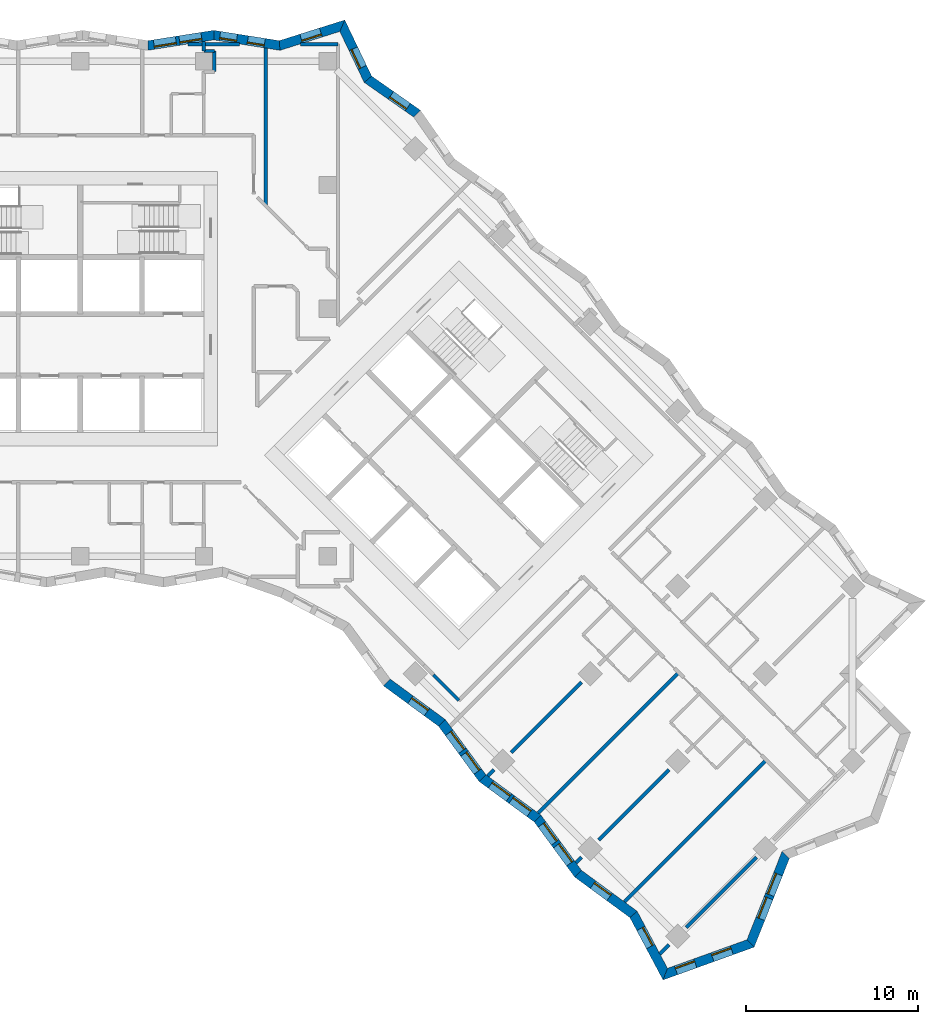
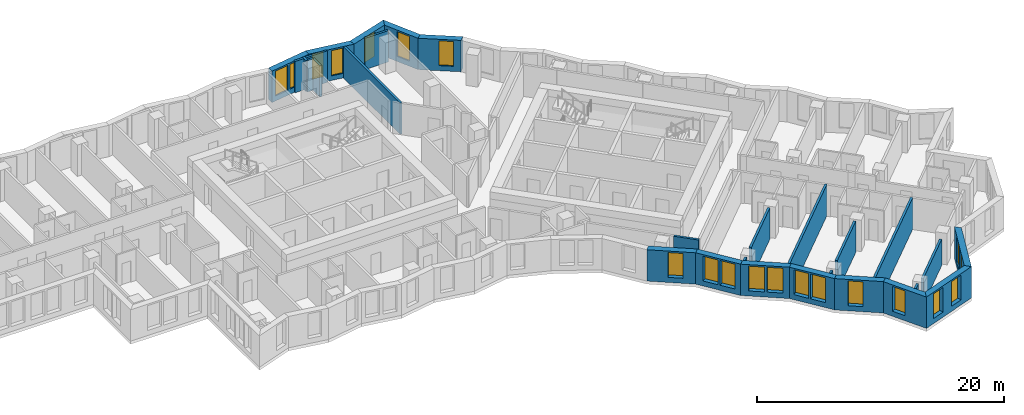
# One storey, part 8 of 13: 28 walls, 20 windows, 20 openings.
"""IFC4 building model written with IfcOpenShell, lengths in metres."""

from ifc_helpers import new_model, si_unit, direction, frame, frame_2d, origin, place, context, subcontext, project, spatial, polyline, rectangle, outline, extrude, material, layer, layer_set, type_object, element, fill, save


model = new_model("IFC4")

# Units and contexts
model_context = context("Model", 3, precision=1e-05, world=origin(), true_north=direction((0.0, 1.0)))
body_context = subcontext(model_context, "Body", "Model", "MODEL_VIEW")
ifc_project = project(units=[si_unit("LENGTHUNIT", "METRE"), si_unit("AREAUNIT", "SQUARE_METRE"), si_unit("VOLUMEUNIT", "CUBIC_METRE"), si_unit("PLANEANGLEUNIT", "RADIAN"), si_unit("MASSUNIT", "GRAM", prefix="KILO")], contexts=[model_context])

# Site, building, storey
site_placement = place(None, origin())
site = spatial("IfcSite", under=ifc_project, at=site_placement, CompositionType="ELEMENT")
building_placement = place(site_placement, origin())
building = spatial("IfcBuilding", under=site, at=building_placement, Name="Windrow Commons", CompositionType="ELEMENT")
storey_placement = place(building_placement, frame((0.0, 0.0, 115.2)))
storey = spatial("IfcBuildingStorey", under=building, at=storey_placement, Name="L31", CompositionType="ELEMENT", Elevation=115.2)

# Wall, openings, windows
ifc_material_1 = material(Name="Brick masonry, red clay brick", Category="masonry")
ifc_layer_1 = layer(ifc_material_1, 0.55)
ifc_layer_set_1 = layer_set([ifc_layer_1], Name="Brick facade wall 550")
wall_type_1 = type_object("IfcWallType", Name="Brick facade wall 550", PredefinedType="SOLIDWALL", material=ifc_layer_set_1)
wall_1_placement = place(storey_placement, frame((98.845, 18.8801, 0.0), z_axis=(0.0, 0.0, 1.0), x_axis=(0.9408702524, 0.3387671296, 0.0)))
wall_1 = element("IfcWall", 1, at=wall_1_placement, inside=storey, type_object=wall_type_1, Name="Brick facade wall L31 1", PredefinedType="SOLIDWALL", context=body_context, shape_type="SweptSolid", body=[
    extrude(outline(polyline([(-0.2382, -0.275), (5.3989, -0.275), (5.151, 0.275), (0.2382, 0.275), (-0.2382, -0.275)])), origin(), (0.0, 0.0, 1.0), 3.1),
])
opening_1_placement = place(wall_1_placement, frame((0.658, 0.0, 0.5)))
opening_1 = element("IfcOpeningElement", 2, at=opening_1_placement, cuts=wall_1, Name="Opening W7D", PredefinedType="OPENING", context=body_context, shape_type="SweptSolid", body=[
    extrude(rectangle(XDim=1.2, YDim=2.45, at=frame_2d((0.6, 1.225))), frame((0.0, 0.285, 0.0), z_axis=(0.0, -1.0, 0.0), x_axis=(1.0, 0.0, 0.0)), (0.0, 0.0, 1.0), 0.57),
])
opening_2_placement = place(wall_1_placement, frame((2.9144, 0.0, 0.5)))
opening_2 = element("IfcOpeningElement", 3, at=opening_2_placement, cuts=wall_1, Name="Opening W7D", PredefinedType="OPENING", context=body_context, shape_type="SweptSolid", body=[
    extrude(rectangle(XDim=1.2, YDim=2.45, at=frame_2d((0.6, 1.225))), frame((0.0, 0.285, 0.0), z_axis=(0.0, -1.0, 0.0), x_axis=(1.0, 0.0, 0.0)), (0.0, 0.0, 1.0), 0.57),
])
ifc_material_2 = material(Name="Clear float glass in anodised aluminium frame", Category="aluminium")
window_type_1 = type_object("IfcWindowType", Name="Window W7 notch 1200x2450", PartitioningType="SINGLE_PANEL", PredefinedType="WINDOW", material=ifc_material_2)
window_1_placement = place(opening_1_placement, origin())
window_1 = element("IfcWindow", 4, at=window_1_placement, inside=storey, type_object=window_type_1, Name="Window L31 1.1", OverallHeight=2.45, OverallWidth=1.2, PartitioningType="SINGLE_PANEL", PredefinedType="WINDOW", context=body_context, shape_type="SweptSolid", body=[
    extrude(rectangle(XDim=1.2, YDim=2.45, at=frame_2d((0.6, 1.225))), frame((0.0, 0.155, 0.0), z_axis=(0.0, -1.0, 0.0), x_axis=(1.0, 0.0, 0.0)), (0.0, 0.0, 1.0), 0.06),
])
fill(opening_1, window_1)
window_2_placement = place(opening_2_placement, origin())
window_2 = element("IfcWindow", 5, at=window_2_placement, inside=storey, type_object=window_type_1, Name="Window L31 1.2", OverallHeight=2.45, OverallWidth=1.2, PartitioningType="SINGLE_PANEL", PredefinedType="WINDOW", context=body_context, shape_type="SweptSolid", body=[
    extrude(rectangle(XDim=1.2, YDim=2.45, at=frame_2d((0.6, 1.225))), frame((0.0, 0.155, 0.0), z_axis=(0.0, -1.0, 0.0), x_axis=(1.0, 0.0, 0.0)), (0.0, 0.0, 1.0), 0.06),
])
fill(opening_2, window_2)

wall_2_placement = place(storey_placement, frame((103.8081, 20.6671, 0.0), z_axis=(0.0, 0.0, 1.0), x_axis=(0.3692366636, 0.9293354003, 0.0)))
wall_2 = element("IfcWall", 6, at=wall_2_placement, inside=storey, type_object=wall_type_1, Name="Brick facade wall L31 2", PredefinedType="SOLIDWALL", context=body_context, shape_type="SweptSolid", body=[
    extrude(outline(polyline([(-0.124, -0.275), (5.431, -0.275), (5.6682, 0.275), (0.124, 0.275), (-0.124, -0.275)])), origin(), (0.0, 0.0, 1.0), 3.1),
])
opening_3_placement = place(wall_2_placement, frame((1.5407, 0.0, 0.5)))
opening_3 = element("IfcOpeningElement", 7, at=opening_3_placement, cuts=wall_2, Name="Opening W1P", PredefinedType="OPENING", context=body_context, shape_type="SweptSolid", body=[
    extrude(rectangle(XDim=1.3, YDim=2.45, at=frame_2d((0.65, 1.225))), frame((0.0, 0.285, 0.0), z_axis=(0.0, -1.0, 0.0), x_axis=(1.0, 0.0, 0.0)), (0.0, 0.0, 1.0), 0.57),
])
opening_4_placement = place(wall_2_placement, frame((3.0407, 0.0, 0.5)))
opening_4 = element("IfcOpeningElement", 8, at=opening_4_placement, cuts=wall_2, Name="Opening W1P", PredefinedType="OPENING", context=body_context, shape_type="SweptSolid", body=[
    extrude(rectangle(XDim=1.3, YDim=2.45, at=frame_2d((0.65, 1.225))), frame((0.0, 0.285, 0.0), z_axis=(0.0, -1.0, 0.0), x_axis=(1.0, 0.0, 0.0)), (0.0, 0.0, 1.0), 0.57),
])
ifc_material_3 = material(Name="Clear float glass in anodised aluminium frame", Category="aluminium")
window_type_2 = type_object("IfcWindowType", Name="Window W1P pair 1300x2450", PartitioningType="SINGLE_PANEL", PredefinedType="WINDOW", material=ifc_material_3)
window_3_placement = place(opening_3_placement, origin())
window_3 = element("IfcWindow", 9, at=window_3_placement, inside=storey, type_object=window_type_2, Name="Window L31 2.1A", OverallHeight=2.45, OverallWidth=1.3, PartitioningType="SINGLE_PANEL", PredefinedType="WINDOW", context=body_context, shape_type="SweptSolid", body=[
    extrude(rectangle(XDim=1.3, YDim=2.45, at=frame_2d((0.65, 1.225))), frame((0.0, 0.155, 0.0), z_axis=(0.0, -1.0, 0.0), x_axis=(1.0, 0.0, 0.0)), (0.0, 0.0, 1.0), 0.06),
])
fill(opening_3, window_3)
window_4_placement = place(opening_4_placement, origin())
window_4 = element("IfcWindow", 10, at=window_4_placement, inside=storey, type_object=window_type_2, Name="Window L31 2.1B", OverallHeight=2.45, OverallWidth=1.3, PartitioningType="SINGLE_PANEL", PredefinedType="WINDOW", context=body_context, shape_type="SweptSolid", body=[
    extrude(rectangle(XDim=1.3, YDim=2.45, at=frame_2d((0.65, 1.225))), frame((0.0, 0.155, 0.0), z_axis=(0.0, -1.0, 0.0), x_axis=(1.0, 0.0, 0.0)), (0.0, 0.0, 1.0), 0.06),
])
fill(opening_4, window_4)

# Wall, opening, window
wall_3_placement = place(storey_placement, frame((84.4017, 68.9532, 0.0), z_axis=(0.0, 0.0, 1.0), x_axis=(-0.8193207436, 0.5733354333, 0.0)))
wall_3 = element("IfcWall", 11, at=wall_3_placement, inside=storey, type_object=wall_type_1, Name="Brick facade wall L31 19", PredefinedType="SOLIDWALL", context=body_context, shape_type="SweptSolid", body=[
    extrude(outline(polyline([(-0.0486, -0.275), (3.4182, -0.275), (3.5627, 0.275), (0.0486, 0.275), (-0.0486, -0.275)])), origin(), (0.0, 0.0, 1.0), 3.1),
])
opening_5_placement = place(wall_3_placement, frame((0.6579, 0.0, 0.5)))
opening_5 = element("IfcOpeningElement", 12, at=opening_5_placement, cuts=wall_3, Name="Opening W7D", PredefinedType="OPENING", context=body_context, shape_type="SweptSolid", body=[
    extrude(rectangle(XDim=1.2, YDim=2.45, at=frame_2d((0.6, 1.225))), frame((0.0, 0.285, 0.0), z_axis=(0.0, -1.0, 0.0), x_axis=(1.0, 0.0, 0.0)), (0.0, 0.0, 1.0), 0.57),
])
window_5_placement = place(opening_5_placement, origin())
window_5 = element("IfcWindow", 13, at=window_5_placement, inside=storey, type_object=window_type_1, Name="Window L31 19.1", OverallHeight=2.45, OverallWidth=1.2, PartitioningType="SINGLE_PANEL", PredefinedType="WINDOW", context=body_context, shape_type="SweptSolid", body=[
    extrude(rectangle(XDim=1.2, YDim=2.45, at=frame_2d((0.6, 1.225))), frame((0.0, 0.155, 0.0), z_axis=(0.0, -1.0, 0.0), x_axis=(1.0, 0.0, 0.0)), (0.0, 0.0, 1.0), 0.06),
])
fill(opening_5, window_5)

wall_4_placement = place(storey_placement, frame((81.5419, 70.9544, 0.0), z_axis=(0.0, 0.0, 1.0), x_axis=(-0.4318929932, 0.9019248541, 0.0)))
wall_4 = element("IfcWall", 14, at=wall_4_placement, inside=storey, type_object=wall_type_1, Name="Brick facade wall L31 20", PredefinedType="SOLIDWALL", context=body_context, shape_type="SweptSolid", body=[
    extrude(outline(polyline([(0.0722, -0.275), (3.6919, -0.275), (3.2145, 0.275), (-0.0722, 0.275), (0.0722, -0.275)])), origin(), (0.0, 0.0, 1.0), 3.1),
])
opening_6_placement = place(wall_4_placement, frame((0.7699, 0.0, 0.5)))
opening_6 = element("IfcOpeningElement", 15, at=opening_6_placement, cuts=wall_4, Name="Opening W7D", PredefinedType="OPENING", context=body_context, shape_type="SweptSolid", body=[
    extrude(rectangle(XDim=1.2, YDim=2.45, at=frame_2d((0.6, 1.225))), frame((0.0, 0.285, 0.0), z_axis=(0.0, -1.0, 0.0), x_axis=(1.0, 0.0, 0.0)), (0.0, 0.0, 1.0), 0.57),
])
window_6_placement = place(opening_6_placement, origin())
window_6 = element("IfcWindow", 16, at=window_6_placement, inside=storey, type_object=window_type_1, Name="Window L31 20.1", OverallHeight=2.45, OverallWidth=1.2, PartitioningType="SINGLE_PANEL", PredefinedType="WINDOW", context=body_context, shape_type="SweptSolid", body=[
    extrude(rectangle(XDim=1.2, YDim=2.45, at=frame_2d((0.6, 1.225))), frame((0.0, 0.155, 0.0), z_axis=(0.0, -1.0, 0.0), x_axis=(1.0, 0.0, 0.0)), (0.0, 0.0, 1.0), 0.06),
])
fill(opening_6, window_6)

wall_5_placement = place(storey_placement, frame((80.0505, 74.0689, 0.0), z_axis=(0.0, 0.0, 1.0), x_axis=(-0.9536522041, -0.3009110726, 0.0)))
wall_5 = element("IfcWall", 17, at=wall_5_placement, inside=storey, type_object=wall_type_1, Name="Brick facade wall L31 21", PredefinedType="SOLIDWALL", context=body_context, shape_type="SweptSolid", body=[
    extrude(outline(polyline([(-0.2387, -0.275), (3.759, -0.275), (3.8885, 0.275), (0.2387, 0.275), (-0.2387, -0.275)])), origin(), (0.0, 0.0, 1.0), 3.1),
])
opening_7_placement = place(wall_5_placement, frame((1.3078, 0.0, 0.5)))
opening_7 = element("IfcOpeningElement", 18, at=opening_7_placement, cuts=wall_5, Name="Opening W7D", PredefinedType="OPENING", context=body_context, shape_type="SweptSolid", body=[
    extrude(rectangle(XDim=1.2, YDim=2.45, at=frame_2d((0.6, 1.225))), frame((0.0, 0.285, 0.0), z_axis=(0.0, -1.0, 0.0), x_axis=(1.0, 0.0, 0.0)), (0.0, 0.0, 1.0), 0.57),
])
window_7_placement = place(opening_7_placement, origin())
window_7 = element("IfcWindow", 19, at=window_7_placement, inside=storey, type_object=window_type_1, Name="Window L31 21.1", OverallHeight=2.45, OverallWidth=1.2, PartitioningType="SINGLE_PANEL", PredefinedType="WINDOW", context=body_context, shape_type="SweptSolid", body=[
    extrude(rectangle(XDim=1.2, YDim=2.45, at=frame_2d((0.6, 1.225))), frame((0.0, 0.155, 0.0), z_axis=(0.0, -1.0, 0.0), x_axis=(1.0, 0.0, 0.0)), (0.0, 0.0, 1.0), 0.06),
])
fill(opening_7, window_7)

# Wall, openings, windows
wall_6_placement = place(storey_placement, frame((76.404, 72.9183, 0.0), z_axis=(0.0, 0.0, 1.0), x_axis=(-0.9877221932, 0.1562205785, 0.0)))
wall_6 = element("IfcWall", 20, at=wall_6_placement, inside=storey, type_object=wall_type_1, Name="Brick facade wall L31 22", PredefinedType="SOLIDWALL", context=body_context, shape_type="SweptSolid", body=[
    extrude(outline(polyline([(0.0648, -0.275), (3.9245, -0.275), (3.8376, 0.275), (-0.0648, 0.275), (0.0648, -0.275)])), origin(), (0.0, 0.0, 1.0), 3.1),
])
opening_8_placement = place(wall_6_placement, frame((0.8805, 0.0, 0.45)))
opening_8 = element("IfcOpeningElement", 21, at=opening_8_placement, cuts=wall_6, Name="Opening W1S", PredefinedType="OPENING", context=body_context, shape_type="SweptSolid", body=[
    extrude(rectangle(XDim=1.0, YDim=2.5, at=frame_2d((0.5, 1.25))), frame((0.0, 0.285, 0.0), z_axis=(0.0, -1.0, 0.0), x_axis=(1.0, 0.0, 0.0)), (0.0, 0.0, 1.0), 0.57),
])
opening_9_placement = place(wall_6_placement, frame((2.521, 0.0, 0.45)))
opening_9 = element("IfcOpeningElement", 22, at=opening_9_placement, cuts=wall_6, Name="Opening W1S", PredefinedType="OPENING", context=body_context, shape_type="SweptSolid", body=[
    extrude(rectangle(XDim=1.0, YDim=2.5, at=frame_2d((0.5, 1.25))), frame((0.0, 0.285, 0.0), z_axis=(0.0, -1.0, 0.0), x_axis=(1.0, 0.0, 0.0)), (0.0, 0.0, 1.0), 0.57),
])
ifc_material_4 = material(Name="Clear float glass in anodised aluminium frame", Category="aluminium")
window_type_3 = type_object("IfcWindowType", Name="Window W1S slit 1000x2500", PartitioningType="SINGLE_PANEL", PredefinedType="WINDOW", material=ifc_material_4)
window_8_placement = place(opening_8_placement, origin())
window_8 = element("IfcWindow", 23, at=window_8_placement, inside=storey, type_object=window_type_3, Name="Window L31 22.1A", OverallHeight=2.5, OverallWidth=1.0, PartitioningType="SINGLE_PANEL", PredefinedType="WINDOW", context=body_context, shape_type="SweptSolid", body=[
    extrude(rectangle(XDim=1.0, YDim=2.5, at=frame_2d((0.5, 1.25))), frame((0.0, 0.155, 0.0), z_axis=(0.0, -1.0, 0.0), x_axis=(1.0, 0.0, 0.0)), (0.0, 0.0, 1.0), 0.06),
])
fill(opening_8, window_8)
window_9_placement = place(opening_9_placement, origin())
window_9 = element("IfcWindow", 24, at=window_9_placement, inside=storey, type_object=window_type_3, Name="Window L31 22.1B", OverallHeight=2.5, OverallWidth=1.0, PartitioningType="SINGLE_PANEL", PredefinedType="WINDOW", context=body_context, shape_type="SweptSolid", body=[
    extrude(rectangle(XDim=1.0, YDim=2.5, at=frame_2d((0.5, 1.25))), frame((0.0, 0.155, 0.0), z_axis=(0.0, -1.0, 0.0), x_axis=(1.0, 0.0, 0.0)), (0.0, 0.0, 1.0), 0.06),
])
fill(opening_9, window_9)

wall_7_placement = place(storey_placement, frame((72.5706, 73.5246, 0.0), z_axis=(0.0, 0.0, 1.0), x_axis=(-0.9877213372, -0.1562259905, 0.0)))
wall_7 = element("IfcWall", 25, at=wall_7_placement, inside=storey, type_object=wall_type_1, Name="Brick facade wall L31 23", PredefinedType="SOLIDWALL", context=body_context, shape_type="SweptSolid", body=[
    extrude(outline(polyline([(-0.0435, -0.275), (3.8163, -0.275), (3.9033, 0.275), (0.0435, 0.275), (-0.0435, -0.275)])), origin(), (0.0, 0.0, 1.0), 3.1),
])
opening_10_placement = place(wall_7_placement, frame((0.7187, 0.0, 0.5)))
opening_10 = element("IfcOpeningElement", 26, at=opening_10_placement, cuts=wall_7, Name="Opening W1P", PredefinedType="OPENING", context=body_context, shape_type="SweptSolid", body=[
    extrude(rectangle(XDim=1.3, YDim=2.45, at=frame_2d((0.65, 1.225))), frame((0.0, 0.285, 0.0), z_axis=(0.0, -1.0, 0.0), x_axis=(1.0, 0.0, 0.0)), (0.0, 0.0, 1.0), 0.57),
])
opening_11_placement = place(wall_7_placement, frame((2.2187, 0.0, 0.5)))
opening_11 = element("IfcOpeningElement", 27, at=opening_11_placement, cuts=wall_7, Name="Opening W1P", PredefinedType="OPENING", context=body_context, shape_type="SweptSolid", body=[
    extrude(rectangle(XDim=1.3, YDim=2.45, at=frame_2d((0.65, 1.225))), frame((0.0, 0.285, 0.0), z_axis=(0.0, -1.0, 0.0), x_axis=(1.0, 0.0, 0.0)), (0.0, 0.0, 1.0), 0.57),
])
window_10_placement = place(opening_10_placement, origin())
window_10 = element("IfcWindow", 28, at=window_10_placement, inside=storey, type_object=window_type_2, Name="Window L31 23.1A", OverallHeight=2.45, OverallWidth=1.3, PartitioningType="SINGLE_PANEL", PredefinedType="WINDOW", context=body_context, shape_type="SweptSolid", body=[
    extrude(rectangle(XDim=1.3, YDim=2.45, at=frame_2d((0.65, 1.225))), frame((0.0, 0.145, 0.0), z_axis=(0.0, -1.0, 0.0), x_axis=(1.0, 0.0, 0.0)), (0.0, 0.0, 1.0), 0.06),
])
fill(opening_10, window_10)
window_11_placement = place(opening_11_placement, origin())
window_11 = element("IfcWindow", 29, at=window_11_placement, inside=storey, type_object=window_type_2, Name="Window L31 23.1B", OverallHeight=2.45, OverallWidth=1.3, PartitioningType="SINGLE_PANEL", PredefinedType="WINDOW", context=body_context, shape_type="SweptSolid", body=[
    extrude(rectangle(XDim=1.3, YDim=2.45, at=frame_2d((0.65, 1.225))), frame((0.0, 0.155, 0.0), z_axis=(0.0, -1.0, 0.0), x_axis=(1.0, 0.0, 0.0)), (0.0, 0.0, 1.0), 0.06),
])
fill(opening_11, window_11)

# Wall, opening, window
wall_8_placement = place(storey_placement, frame((82.6427, 35.8539, 0.0), z_axis=(0.0, 0.0, 1.0), x_axis=(0.8060606099, -0.5918329943, 0.0)))
wall_8 = element("IfcWall", 30, at=wall_8_placement, inside=storey, type_object=wall_type_1, Name="Brick facade wall L31 54", PredefinedType="SOLIDWALL", context=body_context, shape_type="SweptSolid", body=[
    extrude(outline(polyline([(-0.0421, -0.275), (3.9382, -0.275), (4.0225, 0.275), (0.0421, 0.275), (-0.0421, -0.275)])), origin(), (0.0, 0.0, 1.0), 3.1),
])
opening_12_placement = place(wall_8_placement, frame((1.6981, 0.0, 0.5)))
opening_12 = element("IfcOpeningElement", 31, at=opening_12_placement, cuts=wall_8, Name="Opening W7D", PredefinedType="OPENING", context=body_context, shape_type="SweptSolid", body=[
    extrude(rectangle(XDim=1.2, YDim=2.45, at=frame_2d((0.6, 1.225))), frame((0.0, 0.285, 0.0), z_axis=(0.0, -1.0, 0.0), x_axis=(1.0, 0.0, 0.0)), (0.0, 0.0, 1.0), 0.57),
])
window_12_placement = place(opening_12_placement, origin())
window_12 = element("IfcWindow", 32, at=window_12_placement, inside=storey, type_object=window_type_1, Name="Window L31 54.1", OverallHeight=2.45, OverallWidth=1.2, PartitioningType="SINGLE_PANEL", PredefinedType="WINDOW", context=body_context, shape_type="SweptSolid", body=[
    extrude(rectangle(XDim=1.2, YDim=2.45, at=frame_2d((0.6, 1.225))), frame((0.0, 0.155, 0.0), z_axis=(0.0, -1.0, 0.0), x_axis=(1.0, 0.0, 0.0)), (0.0, 0.0, 1.0), 0.06),
])
fill(opening_12, window_12)

# Wall, openings, windows
wall_9_placement = place(storey_placement, frame((85.8511, 33.4982, 0.0), z_axis=(0.0, 0.0, 1.0), x_axis=(0.5918329943, -0.8060606099, 0.0)))
wall_9 = element("IfcWall", 33, at=wall_9_placement, inside=storey, type_object=wall_type_1, Name="Brick facade wall L31 55", PredefinedType="SOLIDWALL", context=body_context, shape_type="SweptSolid", body=[
    extrude(outline(polyline([(0.0421, -0.275), (4.0225, -0.275), (3.9382, 0.275), (-0.0421, 0.275), (0.0421, -0.275)])), origin(), (0.0, 0.0, 1.0), 3.1),
])
opening_13_placement = place(wall_9_placement, frame((0.7079, 0.0, 0.5)))
opening_13 = element("IfcOpeningElement", 34, at=opening_13_placement, cuts=wall_9, Name="Opening W1P", PredefinedType="OPENING", context=body_context, shape_type="SweptSolid", body=[
    extrude(rectangle(XDim=1.3, YDim=2.45, at=frame_2d((0.65, 1.225))), frame((0.0, 0.285, 0.0), z_axis=(0.0, -1.0, 0.0), x_axis=(1.0, 0.0, 0.0)), (0.0, 0.0, 1.0), 0.57),
])
opening_14_placement = place(wall_9_placement, frame((2.2079, 0.0, 0.5)))
opening_14 = element("IfcOpeningElement", 35, at=opening_14_placement, cuts=wall_9, Name="Opening W1P", PredefinedType="OPENING", context=body_context, shape_type="SweptSolid", body=[
    extrude(rectangle(XDim=1.3, YDim=2.45, at=frame_2d((0.65, 1.225))), frame((0.0, 0.285, 0.0), z_axis=(0.0, -1.0, 0.0), x_axis=(1.0, 0.0, 0.0)), (0.0, 0.0, 1.0), 0.57),
])
window_13_placement = place(opening_13_placement, origin())
window_13 = element("IfcWindow", 36, at=window_13_placement, inside=storey, type_object=window_type_2, Name="Window L31 55.1A", OverallHeight=2.45, OverallWidth=1.3, PartitioningType="SINGLE_PANEL", PredefinedType="WINDOW", context=body_context, shape_type="SweptSolid", body=[
    extrude(rectangle(XDim=1.3, YDim=2.45, at=frame_2d((0.65, 1.225))), frame((0.0, 0.155, 0.0), z_axis=(0.0, -1.0, 0.0), x_axis=(1.0, 0.0, 0.0)), (0.0, 0.0, 1.0), 0.06),
])
fill(opening_13, window_13)
window_14_placement = place(opening_14_placement, origin())
window_14 = element("IfcWindow", 37, at=window_14_placement, inside=storey, type_object=window_type_2, Name="Window L31 55.1B", OverallHeight=2.45, OverallWidth=1.3, PartitioningType="SINGLE_PANEL", PredefinedType="WINDOW", context=body_context, shape_type="SweptSolid", body=[
    extrude(rectangle(XDim=1.3, YDim=2.45, at=frame_2d((0.65, 1.225))), frame((0.0, 0.155, 0.0), z_axis=(0.0, -1.0, 0.0), x_axis=(1.0, 0.0, 0.0)), (0.0, 0.0, 1.0), 0.06),
])
fill(opening_14, window_14)

wall_10_placement = place(storey_placement, frame((88.2068, 30.2898, 0.0), z_axis=(0.0, 0.0, 1.0), x_axis=(0.8060813944, -0.5918046853, 0.0)))
wall_10 = element("IfcWall", 38, at=wall_10_placement, inside=storey, type_object=wall_type_1, Name="Brick facade wall L31 56", PredefinedType="SOLIDWALL", context=body_context, shape_type="SweptSolid", body=[
    extrude(outline(polyline([(-0.0421, -0.275), (3.9382, -0.275), (4.0225, 0.275), (0.0421, 0.275), (-0.0421, -0.275)])), origin(), (0.0, 0.0, 1.0), 3.1),
])
opening_15_placement = place(wall_10_placement, frame((0.6113, 0.0, 0.5)))
opening_15 = element("IfcOpeningElement", 39, at=opening_15_placement, cuts=wall_10, Name="Opening W1P", PredefinedType="OPENING", context=body_context, shape_type="SweptSolid", body=[
    extrude(rectangle(XDim=1.3, YDim=2.45, at=frame_2d((0.65, 1.225))), frame((0.0, 0.285, 0.0), z_axis=(0.0, -1.0, 0.0), x_axis=(1.0, 0.0, 0.0)), (0.0, 0.0, 1.0), 0.57),
])
opening_16_placement = place(wall_10_placement, frame((2.1113, 0.0, 0.5)))
opening_16 = element("IfcOpeningElement", 40, at=opening_16_placement, cuts=wall_10, Name="Opening W1P", PredefinedType="OPENING", context=body_context, shape_type="SweptSolid", body=[
    extrude(rectangle(XDim=1.3, YDim=2.45, at=frame_2d((0.65, 1.225))), frame((0.0, 0.285, 0.0), z_axis=(0.0, -1.0, 0.0), x_axis=(1.0, 0.0, 0.0)), (0.0, 0.0, 1.0), 0.57),
])
window_15_placement = place(opening_15_placement, origin())
window_15 = element("IfcWindow", 41, at=window_15_placement, inside=storey, type_object=window_type_2, Name="Window L31 56.1A", OverallHeight=2.45, OverallWidth=1.3, PartitioningType="SINGLE_PANEL", PredefinedType="WINDOW", context=body_context, shape_type="SweptSolid", body=[
    extrude(rectangle(XDim=1.3, YDim=2.45, at=frame_2d((0.65, 1.225))), frame((0.0, 0.155, 0.0), z_axis=(0.0, -1.0, 0.0), x_axis=(1.0, 0.0, 0.0)), (0.0, 0.0, 1.0), 0.06),
])
fill(opening_15, window_15)
window_16_placement = place(opening_16_placement, origin())
window_16 = element("IfcWindow", 42, at=window_16_placement, inside=storey, type_object=window_type_2, Name="Window L31 56.1B", OverallHeight=2.45, OverallWidth=1.3, PartitioningType="SINGLE_PANEL", PredefinedType="WINDOW", context=body_context, shape_type="SweptSolid", body=[
    extrude(rectangle(XDim=1.3, YDim=2.45, at=frame_2d((0.65, 1.225))), frame((0.0, 0.155, 0.0), z_axis=(0.0, -1.0, 0.0), x_axis=(1.0, 0.0, 0.0)), (0.0, 0.0, 1.0), 0.06),
])
fill(opening_16, window_16)

wall_11_placement = place(storey_placement, frame((91.4153, 27.9342, 0.0), z_axis=(0.0, 0.0, 1.0), x_axis=(0.5918046853, -0.8060813944, 0.0)))
wall_11 = element("IfcWall", 43, at=wall_11_placement, inside=storey, type_object=wall_type_1, Name="Brick facade wall L31 57", PredefinedType="SOLIDWALL", context=body_context, shape_type="SweptSolid", body=[
    extrude(outline(polyline([(0.0421, -0.275), (4.0225, -0.275), (3.9382, 0.275), (-0.0421, 0.275), (0.0421, -0.275)])), origin(), (0.0, 0.0, 1.0), 3.1),
])
opening_17_placement = place(wall_11_placement, frame((0.4215, 0.0, 0.5)))
opening_17 = element("IfcOpeningElement", 44, at=opening_17_placement, cuts=wall_11, Name="Opening W1P", PredefinedType="OPENING", context=body_context, shape_type="SweptSolid", body=[
    extrude(rectangle(XDim=1.3, YDim=2.45, at=frame_2d((0.65, 1.225))), frame((0.0, 0.285, 0.0), z_axis=(0.0, -1.0, 0.0), x_axis=(1.0, 0.0, 0.0)), (0.0, 0.0, 1.0), 0.57),
])
opening_18_placement = place(wall_11_placement, frame((1.9215, 0.0, 0.5)))
opening_18 = element("IfcOpeningElement", 45, at=opening_18_placement, cuts=wall_11, Name="Opening W1P", PredefinedType="OPENING", context=body_context, shape_type="SweptSolid", body=[
    extrude(rectangle(XDim=1.3, YDim=2.45, at=frame_2d((0.65, 1.225))), frame((0.0, 0.285, 0.0), z_axis=(0.0, -1.0, 0.0), x_axis=(1.0, 0.0, 0.0)), (0.0, 0.0, 1.0), 0.57),
])
window_17_placement = place(opening_17_placement, origin())
window_17 = element("IfcWindow", 46, at=window_17_placement, inside=storey, type_object=window_type_2, Name="Window L31 57.1A", OverallHeight=2.45, OverallWidth=1.3, PartitioningType="SINGLE_PANEL", PredefinedType="WINDOW", context=body_context, shape_type="SweptSolid", body=[
    extrude(rectangle(XDim=1.3, YDim=2.45, at=frame_2d((0.65, 1.225))), frame((0.0, 0.155, 0.0), z_axis=(0.0, -1.0, 0.0), x_axis=(1.0, 0.0, 0.0)), (0.0, 0.0, 1.0), 0.06),
])
fill(opening_17, window_17)
window_18_placement = place(opening_18_placement, origin())
window_18 = element("IfcWindow", 47, at=window_18_placement, inside=storey, type_object=window_type_2, Name="Window L31 57.1B", OverallHeight=2.45, OverallWidth=1.3, PartitioningType="SINGLE_PANEL", PredefinedType="WINDOW", context=body_context, shape_type="SweptSolid", body=[
    extrude(rectangle(XDim=1.3, YDim=2.45, at=frame_2d((0.65, 1.225))), frame((0.0, 0.155, 0.0), z_axis=(0.0, -1.0, 0.0), x_axis=(1.0, 0.0, 0.0)), (0.0, 0.0, 1.0), 0.06),
])
fill(opening_18, window_18)

# Wall, opening, window
wall_12_placement = place(storey_placement, frame((93.7709, 24.7257, 0.0), z_axis=(0.0, 0.0, 1.0), x_axis=(0.8060798805, -0.5918067474, 0.0)))
wall_12 = element("IfcWall", 48, at=wall_12_placement, inside=storey, type_object=wall_type_1, Name="Brick facade wall L31 58", PredefinedType="SOLIDWALL", context=body_context, shape_type="SweptSolid", body=[
    extrude(outline(polyline([(-0.0421, -0.275), (3.9382, -0.275), (4.0637, 0.275), (0.0421, 0.275), (-0.0421, -0.275)])), origin(), (0.0, 0.0, 1.0), 3.1),
])
opening_19_placement = place(wall_12_placement, frame((1.0734, 0.0, 0.5)))
opening_19 = element("IfcOpeningElement", 49, at=opening_19_placement, cuts=wall_12, Name="Opening W7D", PredefinedType="OPENING", context=body_context, shape_type="SweptSolid", body=[
    extrude(rectangle(XDim=1.2, YDim=2.45, at=frame_2d((0.6, 1.225))), frame((0.0, 0.285, 0.0), z_axis=(0.0, -1.0, 0.0), x_axis=(1.0, 0.0, 0.0)), (0.0, 0.0, 1.0), 0.57),
])
window_19_placement = place(opening_19_placement, origin())
window_19 = element("IfcWindow", 50, at=window_19_placement, inside=storey, type_object=window_type_1, Name="Window L31 58.1", OverallHeight=2.45, OverallWidth=1.2, PartitioningType="SINGLE_PANEL", PredefinedType="WINDOW", context=body_context, shape_type="SweptSolid", body=[
    extrude(rectangle(XDim=1.2, YDim=2.45, at=frame_2d((0.6, 1.225))), frame((0.0, 0.155, 0.0), z_axis=(0.0, -1.0, 0.0), x_axis=(1.0, 0.0, 0.0)), (0.0, 0.0, 1.0), 0.06),
])
fill(opening_19, window_19)

wall_13_placement = place(storey_placement, frame((96.996, 22.3579, 0.0), z_axis=(0.0, 0.0, 1.0), x_axis=(0.469436121, -0.8829664367, 0.0)))
wall_13 = element("IfcWall", 51, at=wall_13_placement, inside=storey, type_object=wall_type_1, Name="Brick facade wall L31 59", PredefinedType="SOLIDWALL", context=body_context, shape_type="SweptSolid", body=[
    extrude(outline(polyline([(0.0628, -0.275), (4.177, -0.275), (3.7005, 0.275), (-0.0628, 0.275), (0.0628, -0.275)])), origin(), (0.0, 0.0, 1.0), 3.1),
])
opening_20_placement = place(wall_13_placement, frame((0.919, 0.0, 0.5)))
opening_20 = element("IfcOpeningElement", 52, at=opening_20_placement, cuts=wall_13, Name="Opening W7D", PredefinedType="OPENING", context=body_context, shape_type="SweptSolid", body=[
    extrude(rectangle(XDim=1.2, YDim=2.45, at=frame_2d((0.6, 1.225))), frame((0.0, 0.285, 0.0), z_axis=(0.0, -1.0, 0.0), x_axis=(1.0, 0.0, 0.0)), (0.0, 0.0, 1.0), 0.57),
])
window_20_placement = place(opening_20_placement, origin())
window_20 = element("IfcWindow", 53, at=window_20_placement, inside=storey, type_object=window_type_1, Name="Window L31 59.1", OverallHeight=2.45, OverallWidth=1.2, PartitioningType="SINGLE_PANEL", PredefinedType="WINDOW", context=body_context, shape_type="SweptSolid", body=[
    extrude(rectangle(XDim=1.2, YDim=2.45, at=frame_2d((0.6, 1.225))), frame((0.0, 0.155, 0.0), z_axis=(0.0, -1.0, 0.0), x_axis=(1.0, 0.0, 0.0)), (0.0, 0.0, 1.0), 0.06),
])
fill(opening_20, window_20)

# Walls
ifc_material_5 = material(Name="Blockwork partition", Category="masonry")
ifc_layer_2 = layer(ifc_material_5, 0.2)
ifc_layer_set_2 = layer_set([ifc_layer_2], Name="IW-CORRIDOR-200")
wall_type_2 = type_object("IfcWallType", Name="IW-CORRIDOR-200", PredefinedType="PARTITIONING", material=ifc_layer_set_2)
wall_14_placement = place(storey_placement, frame((85.353, 36.293, 0.0), z_axis=(0.0, 0.0, 1.0), x_axis=(0.7066304548, -0.7075827869, 0.0)))
element("IfcWall", 54, at=wall_14_placement, inside=storey, type_object=wall_type_2, Name="W-L31-W132", PredefinedType="PARTITIONING", context=body_context, shape_type="SweptSolid", body=[
    extrude(rectangle(XDim=2.1001, YDim=0.2, at=frame_2d((1.05, 0.0))), origin(), (0.0, 0.0, 1.0), 3.1),
])
ifc_material_6 = material(Name="Blockwork partition", Category="masonry")
ifc_layer_3 = layer(ifc_material_6, 0.2)
ifc_layer_set_3 = layer_set([ifc_layer_3], Name="IW-PARTY-200")
wall_type_3 = type_object("IfcWallType", Name="IW-PARTY-200", PredefinedType="PARTITIONING", material=ifc_layer_set_3)
wall_15_placement = place(storey_placement, frame((96.4693, 23.0857, 0.0), z_axis=(0.0, 0.0, 1.0), x_axis=(0.7071067812, 0.7071067812, 0.0)))
element("IfcWall", 55, at=wall_15_placement, inside=storey, type_object=wall_type_3, Name="W-L31-W007", PredefinedType="PARTITIONING", context=body_context, shape_type="SweptSolid", body=[
    extrude(rectangle(XDim=11.6765, YDim=0.2, at=frame_2d((5.8383, 0.0))), origin(), (0.0, 0.0, 1.0), 3.1),
])
wall_16_placement = place(storey_placement, frame((91.4506, 28.2494, 0.0), z_axis=(0.0, 0.0, 1.0), x_axis=(0.7071067812, 0.7071067812, 0.0)))
element("IfcWall", 56, at=wall_16_placement, inside=storey, type_object=wall_type_3, Name="W-L31-W010", PredefinedType="PARTITIONING", context=body_context, shape_type="SweptSolid", body=[
    extrude(rectangle(XDim=11.5739, YDim=0.2, at=frame_2d((5.787, 0.0))), origin(), (0.0, 0.0, 1.0), 3.1),
])
wall_17_placement = place(storey_placement, frame((75.6, 63.58, 0.0), z_axis=(0.0, 0.0, 1.0), x_axis=(0.0, 1.0, 0.0)))
element("IfcWall", 57, at=wall_17_placement, inside=storey, type_object=wall_type_3, Name="W-L31-W014", PredefinedType="PARTITIONING", context=body_context, shape_type="SweptSolid", body=[
    extrude(rectangle(XDim=9.187, YDim=0.2, at=frame_2d((4.5935, 0.0))), origin(), (0.0, 0.0, 1.0), 3.1),
])
wall_18_placement = place(storey_placement, frame((89.881, 31.771, 0.0), z_axis=(0.0, 0.0, 1.0), x_axis=(0.7071067812, 0.7071067812, 0.0)))
element("IfcWall", 58, at=wall_18_placement, inside=storey, type_object=wall_type_3, Name="W-L31-W032", PredefinedType="PARTITIONING", context=body_context, shape_type="SweptSolid", body=[
    extrude(rectangle(XDim=5.787, YDim=0.2, at=frame_2d((2.8935, 0.0))), origin(), (0.0, 0.0, 1.0), 3.1),
])
wall_19_placement = place(storey_placement, frame((100.0634, 21.5886, 0.0), z_axis=(0.0, 0.0, 1.0), x_axis=(0.7071067812, 0.7071067812, 0.0)))
element("IfcWall", 59, at=wall_19_placement, inside=storey, type_object=wall_type_3, Name="W-L31-W034", PredefinedType="PARTITIONING", context=body_context, shape_type="SweptSolid", body=[
    extrude(rectangle(XDim=5.787, YDim=0.2, at=frame_2d((2.8935, 0.0))), origin(), (0.0, 0.0, 1.0), 2.6),
])
wall_20_placement = place(storey_placement, frame((94.9732, 26.6808, 0.0), z_axis=(0.0, 0.0, 1.0), x_axis=(0.7071067812, 0.7071067812, 0.0)))
element("IfcWall", 60, at=wall_20_placement, inside=storey, type_object=wall_type_3, Name="W-L31-W036", PredefinedType="PARTITIONING", context=body_context, shape_type="SweptSolid", body=[
    extrude(rectangle(XDim=5.7841, YDim=0.2, at=frame_2d((2.892, 0.0))), origin(), (0.0, 0.0, 1.0), 3.1),
])
wall_21_placement = place(storey_placement, frame((71.0643, 73.0, 0.0), z_axis=(0.0, 0.0, 1.0), x_axis=(1.0, 0.0, 0.0)))
element("IfcWall", 61, at=wall_21_placement, inside=storey, type_object=wall_type_3, Name="W-L31-W062", PredefinedType="PARTITIONING", context=body_context, shape_type="SweptSolid", body=[
    extrude(rectangle(XDim=3.0126, YDim=0.2, at=frame_2d((1.5063, 0.0))), origin(), (0.0, 0.0, 1.0), 3.1),
])
wall_22_placement = place(storey_placement, frame((77.6269, 73.0, 0.0), z_axis=(0.0, 0.0, 1.0), x_axis=(1.0, 0.0, 0.0)))
element("IfcWall", 62, at=wall_22_placement, inside=storey, type_object=wall_type_3, Name="W-L31-W131", PredefinedType="PARTITIONING", context=body_context, shape_type="SweptSolid", body=[
    extrude(rectangle(XDim=2.1731, YDim=0.2, at=frame_2d((1.0865, 0.0))), origin(), (0.0, 0.0, 1.0), 3.1),
])
wall_23_placement = place(storey_placement, frame((72.6, 71.396, 0.0), z_axis=(0.0, 0.0, 1.0), x_axis=(0.0, 1.0, 0.0)))
element("IfcWall", 63, at=wall_23_placement, inside=storey, type_object=wall_type_3, Name="W-L31-W165", PredefinedType="PARTITIONING", context=body_context, shape_type="SweptSolid", body=[
    extrude(rectangle(XDim=1.208, YDim=0.2, at=frame_2d((0.604, 0.0))), origin(), (0.0, 0.0, 1.0), 3.1),
])
wall_24_placement = place(storey_placement, frame((98.5311, 20.0564, 0.0), z_axis=(0.0, 0.0, 1.0), x_axis=(0.7071732043, 0.7070403519, 0.0)))
element("IfcWall", 64, at=wall_24_placement, inside=storey, type_object=wall_type_3, Name="W-L31-W181", PredefinedType="PARTITIONING", context=body_context, shape_type="SweptSolid", body=[
    extrude(rectangle(XDim=0.7527, YDim=0.2, at=frame_2d((0.3764, 0.0))), origin(), (0.0, 0.0, 1.0), 3.1),
])
wall_25_placement = place(storey_placement, frame((72.0, 72.6, 0.0), z_axis=(0.0, 0.0, 1.0), x_axis=(1.0, 0.0, 0.0)))
element("IfcWall", 65, at=wall_25_placement, inside=storey, type_object=wall_type_3, Name="W-L31-W188", PredefinedType="PARTITIONING", context=body_context, shape_type="SweptSolid", body=[
    extrude(rectangle(XDim=0.6, YDim=0.2, at=frame_2d((0.3, 0.0))), origin(), (0.0, 0.0, 1.0), 3.1),
])
wall_26_placement = place(storey_placement, frame((88.5149, 30.4048, 0.0), z_axis=(0.0, 0.0, 1.0), x_axis=(0.7070102149, 0.7072033343, 0.0)))
element("IfcWall", 66, at=wall_26_placement, inside=storey, type_object=wall_type_3, Name="W-L31-W208", PredefinedType="PARTITIONING", context=body_context, shape_type="SweptSolid", body=[
    extrude(rectangle(XDim=0.5178, YDim=0.2, at=frame_2d((0.2589, 0.0))), origin(), (0.0, 0.0, 1.0), 3.1),
])
wall_27_placement = place(storey_placement, frame((93.6489, 25.3566, 0.0), z_axis=(0.0, 0.0, 1.0), x_axis=(0.7072158101, 0.7069977355, 0.0)))
element("IfcWall", 67, at=wall_27_placement, inside=storey, type_object=wall_type_3, Name="W-L31-W211", PredefinedType="PARTITIONING", context=body_context, shape_type="SweptSolid", body=[
    extrude(rectangle(XDim=0.4586, YDim=0.2, at=frame_2d((0.2293, 0.0))), origin(), (0.0, 0.0, 1.0), 3.1),
])
wall_28_placement = place(storey_placement, frame((72.0, 72.604, 0.0), z_axis=(0.0, 0.0, 1.0), x_axis=(0.0, 1.0, 0.0)))
element("IfcWall", 68, at=wall_28_placement, inside=storey, type_object=wall_type_3, Name="W-L31-W213", PredefinedType="PARTITIONING", context=body_context, shape_type="SweptSolid", body=[
    extrude(rectangle(XDim=0.5519, YDim=0.2, at=frame_2d((0.2759, 0.0))), origin(), (0.0, 0.0, 1.0), 3.1),
])

save(model, "model.ifc")
